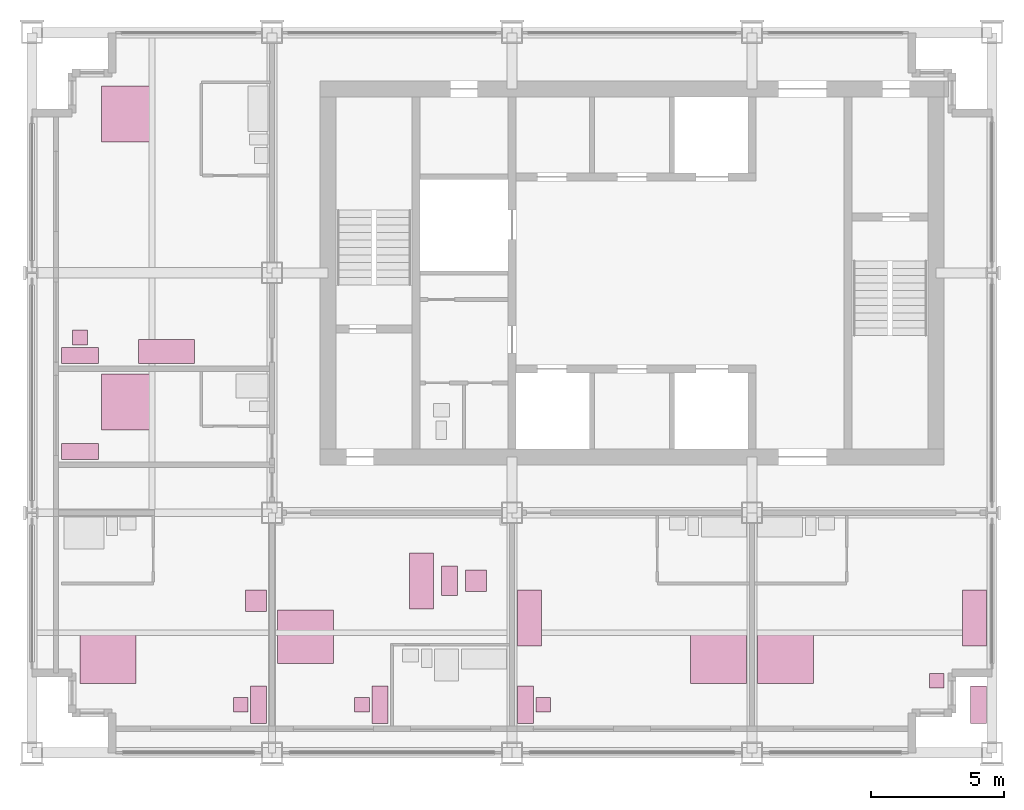
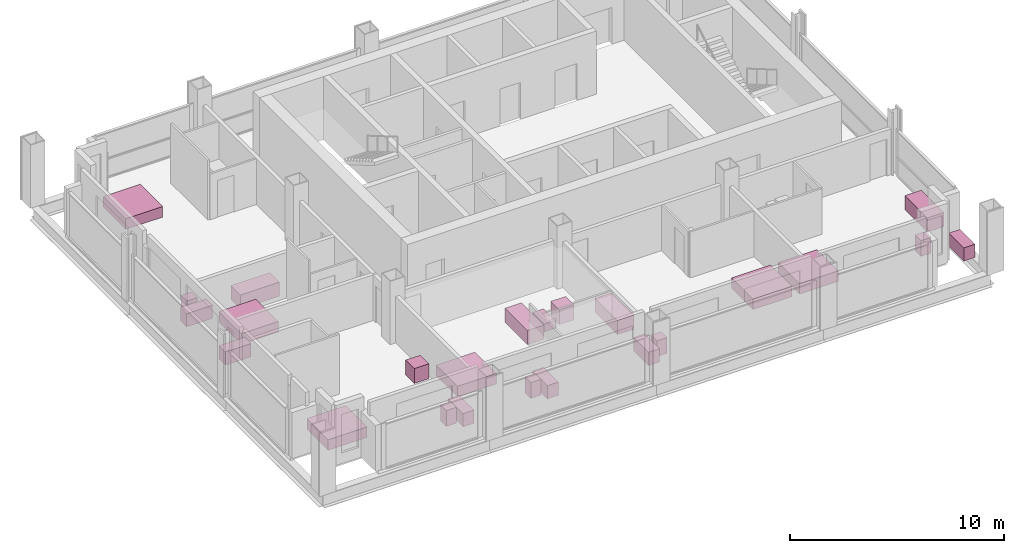
# One storey, part 11 of 11: 24 furniture elements.
"""IFC4 building model written with IfcOpenShell, lengths in metres."""

from ifc_helpers import new_model, si_unit, direction, frame, origin, origin_2d, place, context, subcontext, project, spatial, rectangle, extrude, element, save


model = new_model("IFC4")

# Units and contexts
model_context = context("Model", 3, precision=1e-05, world=origin(), true_north=direction((0.0, 1.0)))
body_context = subcontext(model_context, "Body", "Model", "MODEL_VIEW")
ifc_project = project(units=[si_unit("LENGTHUNIT", "METRE"), si_unit("AREAUNIT", "SQUARE_METRE"), si_unit("VOLUMEUNIT", "CUBIC_METRE"), si_unit("PLANEANGLEUNIT", "RADIAN"), si_unit("MASSUNIT", "GRAM", prefix="KILO")], contexts=[model_context])

# Site, building, storey
site_placement = place(None, origin())
site = spatial("IfcSite", under=ifc_project, at=site_placement, CompositionType="ELEMENT")
building_placement = place(site_placement, origin())
building = spatial("IfcBuilding", under=site, at=building_placement, Name="Loomwork Tower", CompositionType="ELEMENT")
storey_placement = place(building_placement, frame((0.0, 0.0, 241.0)))
storey = spatial("IfcBuildingStorey", under=building, at=storey_placement, Name="L66", CompositionType="ELEMENT", Elevation=241.0)

# Furniture
furniture_1_placement = place(storey_placement, frame((2.85009765625, 3.60009765625, 0.0), z_axis=(0.0, 0.0, 1.0), x_axis=(1.0, 0.0, 0.0)))
element("IfcFurniture", 1, at=furniture_1_placement, inside=storey, Name="King bed L66", PredefinedType="BED", context=body_context, shape_type="SweptSolid", body=[
    extrude(rectangle(XDim=2.10009765625, YDim=2.0, at=origin_2d()), origin(), (0.0, 0.0, 1.0), 0.60009765625),
])
furniture_2_placement = place(storey_placement, frame((8.5, 1.800048828125, 0.0), z_axis=(0.0, 0.0, 1.0), x_axis=(1.0, 0.0, 0.0)))
element("IfcFurniture", 2, at=furniture_2_placement, inside=storey, Name="Writing desk L66", PredefinedType="DESK", context=body_context, shape_type="SweptSolid", body=[
    extrude(rectangle(XDim=0.60009765625, YDim=1.39990234375, at=origin_2d()), origin(), (0.0, 0.0, 1.0), 0.75),
])
furniture_3_placement = place(storey_placement, frame((7.824951171875, 1.800048828125, 0.0), z_axis=(0.0, 0.0, 1.0), x_axis=(1.0, 0.0, 0.0)))
element("IfcFurniture", 3, at=furniture_3_placement, inside=storey, Name="Desk chair L66", PredefinedType="CHAIR", context=body_context, shape_type="SweptSolid", body=[
    extrude(rectangle(XDim=0.550048828125, YDim=0.550048828125, at=origin_2d()), origin(), (0.0, 0.0, 1.0), 0.89990234375),
])
furniture_4_placement = place(storey_placement, frame((8.39990234375, 5.699951171875, 0.0), z_axis=(0.0, 0.0, 1.0), x_axis=(1.0, 0.0, 0.0)))
element("IfcFurniture", 4, at=furniture_4_placement, inside=storey, Name="Lounge armchair L66", PredefinedType="CHAIR", context=body_context, shape_type="SweptSolid", body=[
    extrude(rectangle(XDim=0.800048828125, YDim=0.800048828125, at=origin_2d()), origin(), (0.0, 0.0, 1.0), 0.85009765625),
])
furniture_5_placement = place(storey_placement, frame((10.25, 4.35009765625, 0.0), z_axis=(0.0, 0.0, 1.0), x_axis=(1.0, 0.0, 0.0)))
element("IfcFurniture", 5, at=furniture_5_placement, inside=storey, Name="King bed L66", PredefinedType="BED", context=body_context, shape_type="SweptSolid", body=[
    extrude(rectangle(XDim=2.10009765625, YDim=2.0, at=origin_2d()), origin(), (0.0, 0.0, 1.0), 0.60009765625),
])
furniture_6_placement = place(storey_placement, frame((13.050048828125, 1.800048828125, 0.0), z_axis=(0.0, 0.0, 1.0), x_axis=(1.0, 0.0, 0.0)))
element("IfcFurniture", 6, at=furniture_6_placement, inside=storey, Name="Writing desk L66", PredefinedType="DESK", context=body_context, shape_type="SweptSolid", body=[
    extrude(rectangle(XDim=0.60009765625, YDim=1.39990234375, at=origin_2d()), origin(), (0.0, 0.0, 1.0), 0.75),
])
furniture_7_placement = place(storey_placement, frame((12.375, 1.800048828125, 0.0), z_axis=(0.0, 0.0, 1.0), x_axis=(1.0, 0.0, 0.0)))
element("IfcFurniture", 7, at=furniture_7_placement, inside=storey, Name="Desk chair L66", PredefinedType="CHAIR", context=body_context, shape_type="SweptSolid", body=[
    extrude(rectangle(XDim=0.550048828125, YDim=0.550048828125, at=origin_2d()), origin(), (0.0, 0.0, 1.0), 0.89990234375),
])
furniture_8_placement = place(storey_placement, frame((14.60009765625, 6.449951171875, 0.0), z_axis=(0.0, 0.0, 1.0), x_axis=(1.0, 0.0, 0.0)))
element("IfcFurniture", 8, at=furniture_8_placement, inside=storey, Name="Sofa L66", PredefinedType="SOFA", context=body_context, shape_type="SweptSolid", body=[
    extrude(rectangle(XDim=0.89990234375, YDim=2.10009765625, at=origin_2d()), origin(), (0.0, 0.0, 1.0), 0.800048828125),
])
furniture_9_placement = place(storey_placement, frame((15.64990234375, 6.449951171875, 0.0), z_axis=(0.0, 0.0, 1.0), x_axis=(1.0, 0.0, 0.0)))
element("IfcFurniture", 9, at=furniture_9_placement, inside=storey, Name="Coffee table L66", PredefinedType="TABLE", context=body_context, shape_type="SweptSolid", body=[
    extrude(rectangle(XDim=0.60009765625, YDim=1.10009765625, at=origin_2d()), origin(), (0.0, 0.0, 1.0), 0.449951171875),
])
furniture_10_placement = place(storey_placement, frame((16.64990234375, 6.449951171875, 0.0), z_axis=(0.0, 0.0, 1.0), x_axis=(1.0, 0.0, 0.0)))
element("IfcFurniture", 10, at=furniture_10_placement, inside=storey, Name="Lounge armchair L66", PredefinedType="CHAIR", context=body_context, shape_type="SweptSolid", body=[
    extrude(rectangle(XDim=0.800048828125, YDim=0.800048828125, at=origin_2d()), origin(), (0.0, 0.0, 1.0), 0.85009765625),
])
furniture_11_placement = place(storey_placement, frame((25.75, 3.60009765625, 0.0), z_axis=(0.0, 0.0, 1.0), x_axis=(1.0, 0.0, 0.0)))
element("IfcFurniture", 11, at=furniture_11_placement, inside=storey, Name="King bed L66", PredefinedType="BED", context=body_context, shape_type="SweptSolid", body=[
    extrude(rectangle(XDim=2.10009765625, YDim=2.0, at=origin_2d()), origin(), (0.0, 0.0, 1.0), 0.60009765625),
])
furniture_12_placement = place(storey_placement, frame((18.5, 1.800048828125, 0.0), z_axis=(0.0, 0.0, 1.0), x_axis=(1.0, 0.0, 0.0)))
element("IfcFurniture", 12, at=furniture_12_placement, inside=storey, Name="Writing desk L66", PredefinedType="DESK", context=body_context, shape_type="SweptSolid", body=[
    extrude(rectangle(XDim=0.60009765625, YDim=1.39990234375, at=origin_2d()), origin(), (0.0, 0.0, 1.0), 0.75),
])
furniture_13_placement = place(storey_placement, frame((19.175048828125, 1.800048828125, 0.0), z_axis=(0.0, 0.0, 1.0), x_axis=(1.0, 0.0, 0.0)))
element("IfcFurniture", 13, at=furniture_13_placement, inside=storey, Name="Desk chair L66", PredefinedType="CHAIR", context=body_context, shape_type="SweptSolid", body=[
    extrude(rectangle(XDim=0.550048828125, YDim=0.550048828125, at=origin_2d()), origin(), (0.0, 0.0, 1.0), 0.89990234375),
])
furniture_14_placement = place(storey_placement, frame((18.64990234375, 5.050048828125, 0.0), z_axis=(0.0, 0.0, 1.0), x_axis=(1.0, 0.0, 0.0)))
element("IfcFurniture", 14, at=furniture_14_placement, inside=storey, Name="Sofa L66", PredefinedType="SOFA", context=body_context, shape_type="SweptSolid", body=[
    extrude(rectangle(XDim=0.89990234375, YDim=2.10009765625, at=origin_2d()), origin(), (0.0, 0.0, 1.0), 0.800048828125),
])
furniture_15_placement = place(storey_placement, frame((28.25, 3.60009765625, 0.0), z_axis=(0.0, 0.0, 1.0), x_axis=(1.0, 0.0, 0.0)))
element("IfcFurniture", 15, at=furniture_15_placement, inside=storey, Name="King bed L66", PredefinedType="BED", context=body_context, shape_type="SweptSolid", body=[
    extrude(rectangle(XDim=2.10009765625, YDim=2.0, at=origin_2d()), origin(), (0.0, 0.0, 1.0), 0.60009765625),
])
furniture_16_placement = place(storey_placement, frame((35.5, 1.800048828125, 0.0), z_axis=(0.0, 0.0, 1.0), x_axis=(1.0, 0.0, 0.0)))
element("IfcFurniture", 16, at=furniture_16_placement, inside=storey, Name="Writing desk L66", PredefinedType="DESK", context=body_context, shape_type="SweptSolid", body=[
    extrude(rectangle(XDim=0.60009765625, YDim=1.39990234375, at=origin_2d()), origin(), (0.0, 0.0, 1.0), 0.75),
])
furniture_17_placement = place(storey_placement, frame((33.925048828125, 2.699951171875, 0.0), z_axis=(0.0, 0.0, 1.0), x_axis=(1.0, 0.0, 0.0)))
element("IfcFurniture", 17, at=furniture_17_placement, inside=storey, Name="Desk chair L66", PredefinedType="CHAIR", context=body_context, shape_type="SweptSolid", body=[
    extrude(rectangle(XDim=0.550048828125, YDim=0.550048828125, at=origin_2d()), origin(), (0.0, 0.0, 1.0), 0.89990234375),
])
furniture_18_placement = place(storey_placement, frame((35.35009765625, 5.050048828125, 0.0), z_axis=(0.0, 0.0, 1.0), x_axis=(1.0, 0.0, 0.0)))
element("IfcFurniture", 18, at=furniture_18_placement, inside=storey, Name="Sofa L66", PredefinedType="SOFA", context=body_context, shape_type="SweptSolid", body=[
    extrude(rectangle(XDim=0.89990234375, YDim=2.10009765625, at=origin_2d()), origin(), (0.0, 0.0, 1.0), 0.800048828125),
])
furniture_19_placement = place(storey_placement, frame((3.60009765625, 13.14990234375, 0.0), z_axis=(0.0, 0.0, 1.0), x_axis=(1.0, 0.0, 0.0)))
element("IfcFurniture", 19, at=furniture_19_placement, inside=storey, Name="King bed L66", PredefinedType="BED", context=body_context, shape_type="SweptSolid", body=[
    extrude(rectangle(XDim=2.0, YDim=2.10009765625, at=origin_2d()), origin(), (0.0, 0.0, 1.0), 0.60009765625),
])
furniture_20_placement = place(storey_placement, frame((1.800048828125, 11.300048828125, 0.0), z_axis=(0.0, 0.0, 1.0), x_axis=(1.0, 0.0, 0.0)))
element("IfcFurniture", 20, at=furniture_20_placement, inside=storey, Name="Writing desk L66", PredefinedType="DESK", context=body_context, shape_type="SweptSolid", body=[
    extrude(rectangle(XDim=1.39990234375, YDim=0.60009765625, at=origin_2d()), origin(), (0.0, 0.0, 1.0), 0.75),
])
furniture_21_placement = place(storey_placement, frame((3.60009765625, 23.949951171875, 0.0), z_axis=(0.0, 0.0, 1.0), x_axis=(1.0, 0.0, 0.0)))
element("IfcFurniture", 21, at=furniture_21_placement, inside=storey, Name="King bed L66", PredefinedType="BED", context=body_context, shape_type="SweptSolid", body=[
    extrude(rectangle(XDim=2.0, YDim=2.10009765625, at=origin_2d()), origin(), (0.0, 0.0, 1.0), 0.60009765625),
])
furniture_22_placement = place(storey_placement, frame((1.800048828125, 14.89990234375, 0.0), z_axis=(0.0, 0.0, 1.0), x_axis=(1.0, 0.0, 0.0)))
element("IfcFurniture", 22, at=furniture_22_placement, inside=storey, Name="Writing desk L66", PredefinedType="DESK", context=body_context, shape_type="SweptSolid", body=[
    extrude(rectangle(XDim=1.39990234375, YDim=0.60009765625, at=origin_2d()), origin(), (0.0, 0.0, 1.0), 0.75),
])
furniture_23_placement = place(storey_placement, frame((1.800048828125, 15.574951171875, 0.0), z_axis=(0.0, 0.0, 1.0), x_axis=(1.0, 0.0, 0.0)))
element("IfcFurniture", 23, at=furniture_23_placement, inside=storey, Name="Desk chair L66", PredefinedType="CHAIR", context=body_context, shape_type="SweptSolid", body=[
    extrude(rectangle(XDim=0.550048828125, YDim=0.550048828125, at=origin_2d()), origin(), (0.0, 0.0, 1.0), 0.89990234375),
])
furniture_24_placement = place(storey_placement, frame((5.050048828125, 15.050048828125, 0.0), z_axis=(0.0, 0.0, 1.0), x_axis=(1.0, 0.0, 0.0)))
element("IfcFurniture", 24, at=furniture_24_placement, inside=storey, Name="Sofa L66", PredefinedType="SOFA", context=body_context, shape_type="SweptSolid", body=[
    extrude(rectangle(XDim=2.10009765625, YDim=0.89990234375, at=origin_2d()), origin(), (0.0, 0.0, 1.0), 0.800048828125),
])

save(model, "model.ifc")
